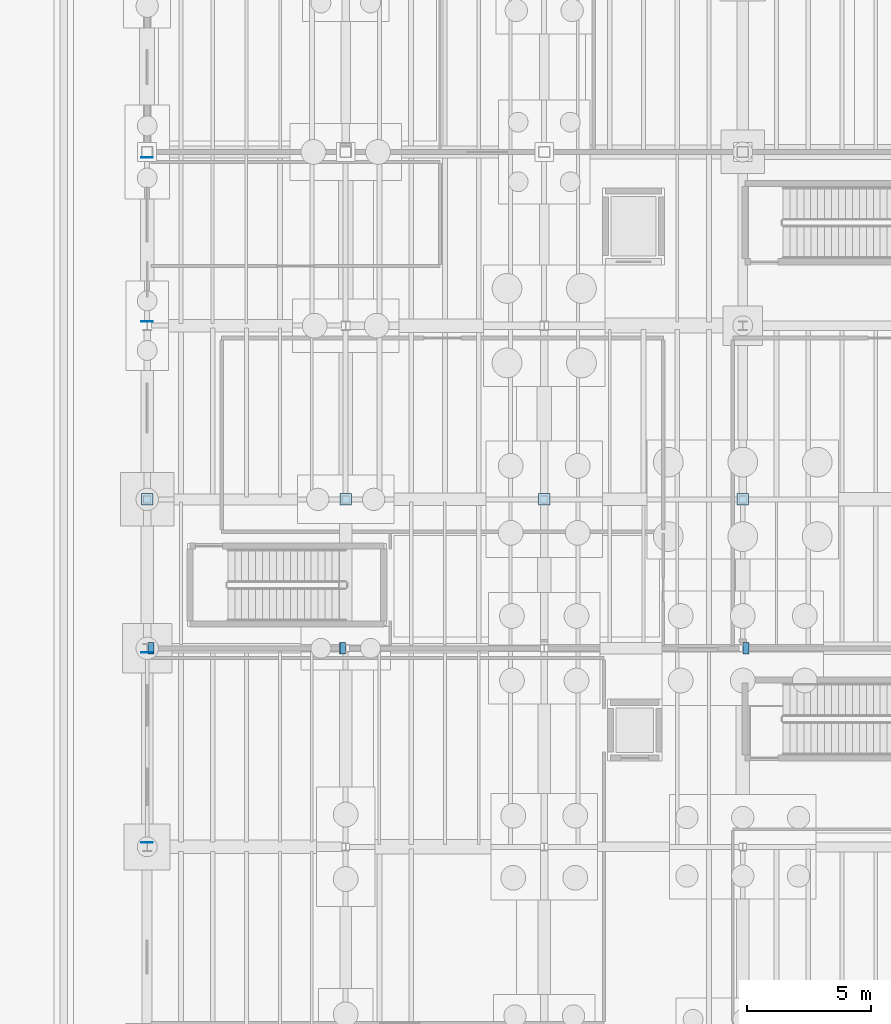
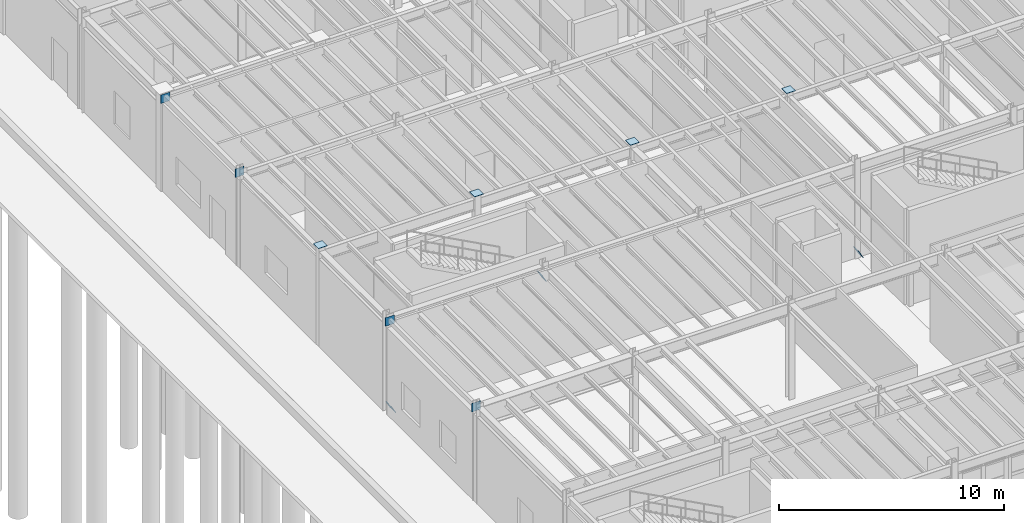
# One storey, part 55 of 86: 11 plates.
"""IFC4 building model written with IfcOpenShell, lengths in metres."""

import ifcopenshell
import ifcopenshell.guid

model = None  # the IFC model being written
_history = None  # IfcOwnerHistory: only IFC2X3 demands one
_inside = {}  # id of a spatial element -> (the spatial element, [elements in it])
_under = {}  # id of a project, library or spatial element -> (it, [spatial elements below it])
_declared = {}  # id of a project -> (the project, [libraries it declares])
_typed = {}  # id of a type object -> (the type object, [elements of that type])
_made_of = {}  # id of a material, layer set ... -> (it, [elements and type objects made of it])


def new_model(schema):
    """Start an empty IFC model of exactly this schema.

    Asked for "IFC4X3", IfcOpenShell would pick the latest addendum, in which some entities
    have other attributes; the version numbers below select the first issue.
    IFC2X3 requires an IfcOwnerHistory on every rooted entity: one is made here for all.
    """
    global model, _history
    if schema == "IFC4X3":
        model = ifcopenshell.file(schema_version=(4, 3, 0, 0))
    else:
        model = ifcopenshell.file(schema=schema)
    _inside.clear()
    _under.clear()
    _declared.clear()
    _typed.clear()
    _made_of.clear()
    _history = None
    if model.schema == "IFC2X3":
        org = make("IfcOrganization", Name="unknown")
        user = make(
            "IfcPersonAndOrganization",
            ThePerson=make("IfcPerson", FamilyName="unknown"),
            TheOrganization=org,
        )
        app = make(
            "IfcApplication",
            ApplicationDeveloper=org,
            Version="unknown",
            ApplicationFullName="unknown",
            ApplicationIdentifier="unknown",
        )
        _history = make(
            "IfcOwnerHistory",
            OwningUser=user,
            OwningApplication=app,
            ChangeAction="ADDED",
            CreationDate=0,
        )
    return model


def make(cls, **values):
    """One entity of the class cls with the attributes given. An attribute that is None is left unset."""
    return model.create_entity(
        cls, **{name: value for name, value in values.items() if value is not None}
    )


def rooted(cls, **values):
    """An entity with a GlobalId (a new one), such as an element, a storey or a relation."""
    return make(cls, GlobalId=ifcopenshell.guid.new(), OwnerHistory=_history, **values)


def si_unit(unit_type, name, prefix=None):
    """IfcSIUnit, for example si_unit("LENGTHUNIT", "METRE", prefix="MILLI")."""
    return make("IfcSIUnit", UnitType=unit_type, Prefix=prefix, Name=name)


def assignment(units):
    """IfcUnitAssignment: the units of a project."""
    return None if units is None else make("IfcUnitAssignment", Units=units)


def point(xyz):
    """IfcCartesianPoint."""
    return None if xyz is None else make("IfcCartesianPoint", Coordinates=xyz)


def direction(xyz):
    """IfcDirection."""
    return None if xyz is None else make("IfcDirection", DirectionRatios=xyz)


def frame(location, z_axis=None, x_axis=None):
    """IfcAxis2Placement3D, a coordinate frame: its origin and axes. An axis left out is left unset."""
    return make(
        "IfcAxis2Placement3D",
        Location=point(location),
        Axis=direction(z_axis),
        RefDirection=direction(x_axis),
    )


def frame_2d(location, x_axis=None):
    """IfcAxis2Placement2D, a coordinate frame in the plane: its origin and x axis."""
    return make(
        "IfcAxis2Placement2D", Location=point(location), RefDirection=direction(x_axis)
    )


def origin():
    """The frame at (0, 0, 0) with its axes left unset."""
    return frame((0.0, 0.0, 0.0))


def origin_2d():
    """The frame at (0, 0) in the plane with its x axis left unset."""
    return frame_2d((0.0, 0.0))


def place(relative_to, where):
    """IfcLocalPlacement: puts the frame where relative to a parent placement (None: the world)."""
    return make(
        "IfcLocalPlacement", PlacementRelTo=relative_to, RelativePlacement=where
    )


def context(
    kind, dimensions, precision=None, world=None, true_north=None, identifier=None
):
    """IfcGeometricRepresentationContext, for example the 3D "Model" context."""
    return make(
        "IfcGeometricRepresentationContext",
        ContextIdentifier=identifier,
        ContextType=kind,
        CoordinateSpaceDimension=dimensions,
        Precision=precision,
        WorldCoordinateSystem=world,
        TrueNorth=true_north,
    )


def subcontext(parent, identifier, kind, view, scale=None):
    """IfcGeometricRepresentationSubContext, for example "Body" below "Model"."""
    return make(
        "IfcGeometricRepresentationSubContext",
        ContextIdentifier=identifier,
        ContextType=kind,
        ParentContext=parent,
        TargetScale=scale,
        TargetView=view,
    )


def project(units=None, contexts=None):
    """IfcProject with its units and contexts."""
    return rooted(
        "IfcProject",
        Name="project",
        RepresentationContexts=contexts,
        UnitsInContext=assignment(units),
    )


def spatial(cls, under=None, at=None, **own):
    """A site, building, storey or space (cls), placed at a placement, below another one or the project."""
    s = rooted(cls, ObjectPlacement=at, **own)
    if under is not None:
        _under.setdefault(under.id(), (under, []))[1].append(s)
    return s


def profile(cls, at=None, kind="AREA", **sizes):
    """A parametric profile (cls). Its sizes go by their IFC names, for example OverallWidth=200.0."""
    return make(cls, ProfileType=kind, Position=at, **sizes)


def rectangle(**sizes):
    """IfcRectangleProfileDef."""
    return profile("IfcRectangleProfileDef", **sizes)


def extrude(swept, where, along, depth):
    """IfcExtrudedAreaSolid: the profile swept, set in the frame where, extruded along a direction by depth."""
    return make(
        "IfcExtrudedAreaSolid",
        SweptArea=swept,
        Position=where,
        ExtrudedDirection=direction(along),
        Depth=depth,
    )


def shape(context_of_items, identifier, shape_type, items):
    """IfcShapeRepresentation: the items that make up one representation, for example the "Body"."""
    return make(
        "IfcShapeRepresentation",
        ContextOfItems=context_of_items,
        RepresentationIdentifier=identifier,
        RepresentationType=shape_type,
        Items=items,
    )


def material(Name=None, Category=None):
    """IfcMaterial."""
    return make("IfcMaterial", Name=Name, Category=Category)


def material_profile(
    of_material, cross_section, Name=None, Category=None, Priority=None
):
    """IfcMaterialProfile: a cross section and its material."""
    return make(
        "IfcMaterialProfile",
        Name=Name,
        Material=of_material,
        Profile=cross_section,
        Priority=Priority,
        Category=Category,
    )


def profile_set(profiles, Name=None, composite=None):
    """IfcMaterialProfileSet."""
    return make(
        "IfcMaterialProfileSet",
        Name=Name,
        MaterialProfiles=profiles,
        CompositeProfile=composite,
    )


def made_of(thing, what):
    """Note that an element or type object is made of a material, layer set ...; save() writes the relation."""
    if what is not None:
        _made_of.setdefault(what.id(), (what, []))[1].append(thing)
    return thing


def type_object(cls, material=None, **own):
    """A type object (cls), such as IfcWallType, which elements share."""
    return made_of(rooted(cls, **own), material)


def element(
    cls,
    number,
    at=None,
    inside=None,
    cuts=None,
    type_object=None,
    material=None,
    context=None,
    identifier="Body",
    shape_type=None,
    held_by="IfcProductDefinitionShape",
    body=None,
    shapes=None,
    **own,
):
    """One element of the class cls, such as IfcWall. Its Tag is "e" and its number.

    at: its placement. inside: the storey or other place that contains it. cuts: it is an
    opening in that element (IfcRelVoidsElement). A single representation is given by context,
    identifier, shape_type and body (its items); several are given by shapes. held_by: the class
    of the entity that holds the representations. save() writes the other relations.
    """
    e = rooted(cls, Tag="e%d" % number, ObjectPlacement=at, **own)
    if body is not None:
        shapes = [shape(context, identifier, shape_type, body)]
    if shapes is not None:
        e.Representation = make(held_by, Representations=shapes)
    if inside is not None:
        _inside.setdefault(inside.id(), (inside, []))[1].append(e)
    if cuts is not None:
        rooted(
            "IfcRelVoidsElement", RelatingBuildingElement=cuts, RelatedOpeningElement=e
        )
    if type_object is not None:
        _typed.setdefault(type_object.id(), (type_object, []))[1].append(e)
    return made_of(e, material)


def aggregate(whole, parts):
    """IfcRelAggregates: a whole, such as a stair, and the parts it consists of."""
    return rooted("IfcRelAggregates", RelatingObject=whole, RelatedObjects=parts)


def save(model, path):
    """Write the relations noted so far, then the file.

    IfcRelAggregates (storeys below a building ...), IfcRelContainedInSpatialStructure (elements
    in a storey), IfcRelDefinesByType, IfcRelAssociatesMaterial and IfcRelDeclares: one each for
    every whole, place, type object, material and project.
    """
    for whole, parts in _under.values():
        aggregate(whole, parts)
    for where, things in _inside.values():
        rooted(
            "IfcRelContainedInSpatialStructure",
            RelatedElements=things,
            RelatingStructure=where,
        )
    for kind, things in _typed.values():
        rooted("IfcRelDefinesByType", RelatedObjects=things, RelatingType=kind)
    for what, things in _made_of.values():
        rooted("IfcRelAssociatesMaterial", RelatedObjects=things, RelatingMaterial=what)
    for by, libraries in _declared.values():
        rooted("IfcRelDeclares", RelatingContext=by, RelatedDefinitions=libraries)
    model.write(path)


model = new_model("IFC4")

# Units and contexts
model_context = context("Model", 3, precision=1e-05, world=origin(), true_north=direction((0.0, 1.0)))
body_context = subcontext(model_context, "Body", "Model", "MODEL_VIEW")
ifc_project = project(units=[si_unit("LENGTHUNIT", "METRE"), si_unit("AREAUNIT", "SQUARE_METRE"), si_unit("VOLUMEUNIT", "CUBIC_METRE"), si_unit("PLANEANGLEUNIT", "RADIAN"), si_unit("MASSUNIT", "GRAM", prefix="KILO"), si_unit("THERMODYNAMICTEMPERATUREUNIT", "KELVIN"), si_unit("POWERUNIT", "WATT")], contexts=[model_context])

# Site, building, storey
site_placement = place(None, origin())
site = spatial("IfcSite", under=ifc_project, at=site_placement, CompositionType="ELEMENT")
building_placement = place(site_placement, origin())
building = spatial("IfcBuilding", under=site, at=building_placement, Name="Zhenchuan Central Fire Station", CompositionType="ELEMENT")
storey_placement = place(building_placement, frame((0.0, 0.0, 0.449951171875)))
storey = spatial("IfcBuildingStorey", under=building, at=storey_placement, Name="L01", CompositionType="ELEMENT", Elevation=0.449951171875)

# Plates
ifc_material = material(Name="Steel Q355B", Category="steel")
ifc_material_profile_1 = material_profile(ifc_material, rectangle(XDim=0.4599609375, YDim=0.4599609375, at=origin_2d()), Name="PL 460x460x28")
ifc_profile_set_1 = profile_set([ifc_material_profile_1], Name="Steel Q355B")
plate_type_1 = type_object("IfcPlateType", Name="PL-GUS28", PredefinedType="SHEET", material=ifc_profile_set_1)
for number, where, z_axis, x_axis, name in (
    (1, (0.0, 28.5, 5.39599609375), (0.0, 0.0, 1.0), (1.0, 0.0, 0.0), "L01 Column 005 end cap plate B"),
    (2, (0.0, 14.658935546875, 5.03515625), (0.0, 1.0, 0.0), (-1.0, 0.0, 0.0), "L02 Girder NS 0106 end cap plate A"),
    (3, (0.0, 22.321044921875, 5.03515625), (0.0, 1.0, 0.0), (-1.0, 0.0, 0.0), "L02 Girder NS 0106 end cap plate B"),
    (4, (0.0, 35.658935546875, 5.010009765625), (0.0, 1.0, 0.0), (-1.0, 0.0, 0.0), "L02 Girder NS 0109 end cap plate A"),
    (5, (0.0, 42.27099609375, 5.010009765625), (0.0, 1.0, 0.0), (-1.0, 0.0, 0.0), "L02 Girder NS 0109 end cap plate B"),
):
    element("IfcPlate", number, at=place(storey_placement, frame(where, z_axis=z_axis, x_axis=x_axis)), inside=storey, type_object=plate_type_1, Name=name, PredefinedType="SHEET", context=body_context, shape_type="SweptSolid", body=[
        extrude(rectangle(XDim=0.4599609375, YDim=0.4599609375, at=origin_2d()), origin(), (0.0, 0.0, 1.0), 0.02001953125),
    ])
ifc_material_profile_2 = material_profile(ifc_material, rectangle(XDim=0.4599609375, YDim=0.4599609375, at=origin_2d()), Name="PL 460x460x28")
ifc_profile_set_2 = profile_set([ifc_material_profile_2], Name="Steel Q355B")
plate_type_2 = type_object("IfcPlateType", Name="PL-GUS28-INT", PredefinedType="SHEET", material=ifc_profile_set_2)
for number, where, z_axis, x_axis, name in (
    (6, (8.0, 28.5, 5.39599609375), (0.0, 0.0, 1.0), (1.0, 0.0, 0.0), "L01 Column 014 end cap plate B"),
    (7, (16.0, 28.5, 5.39599609375), (0.0, 0.0, 1.0), (1.0, 0.0, 0.0), "L01 Column 023 end cap plate B"),
    (8, (24.0, 28.5, 5.39599609375), (0.0, 0.0, 1.0), (1.0, 0.0, 0.0), "L01 Column 032 end cap plate B"),
    (9, (0.13916015625, 22.5, 0.192138671875), (0.865982457891, 0.0, 0.500074377092), (0.0, 1.0, 0.0), "Interior Frame Lateral Brace 01 end cap plate A"),
    (10, (7.868408203125, 22.5, 4.59814453125), (0.874157276122, 0.0, 0.485642931179), (0.0, 1.0, 0.0), "Interior Frame Lateral Brace 01 end cap plate B"),
    (11, (24.114013671875, 22.5, 0.192138671875), (0.874157276122, 0.0, 0.485642931179), (0.0, 1.0, 0.0), "Interior Frame Lateral Brace 02 end cap plate A"),
):
    element("IfcPlate", number, at=place(storey_placement, frame(where, z_axis=z_axis, x_axis=x_axis)), inside=storey, type_object=plate_type_2, Name=name, PredefinedType="SHEET", context=body_context, shape_type="SweptSolid", body=[
        extrude(rectangle(XDim=0.4599609375, YDim=0.4599609375, at=origin_2d()), origin(), (0.0, 0.0, 1.0), 0.02001953125),
    ])

save(model, "model.ifc")
